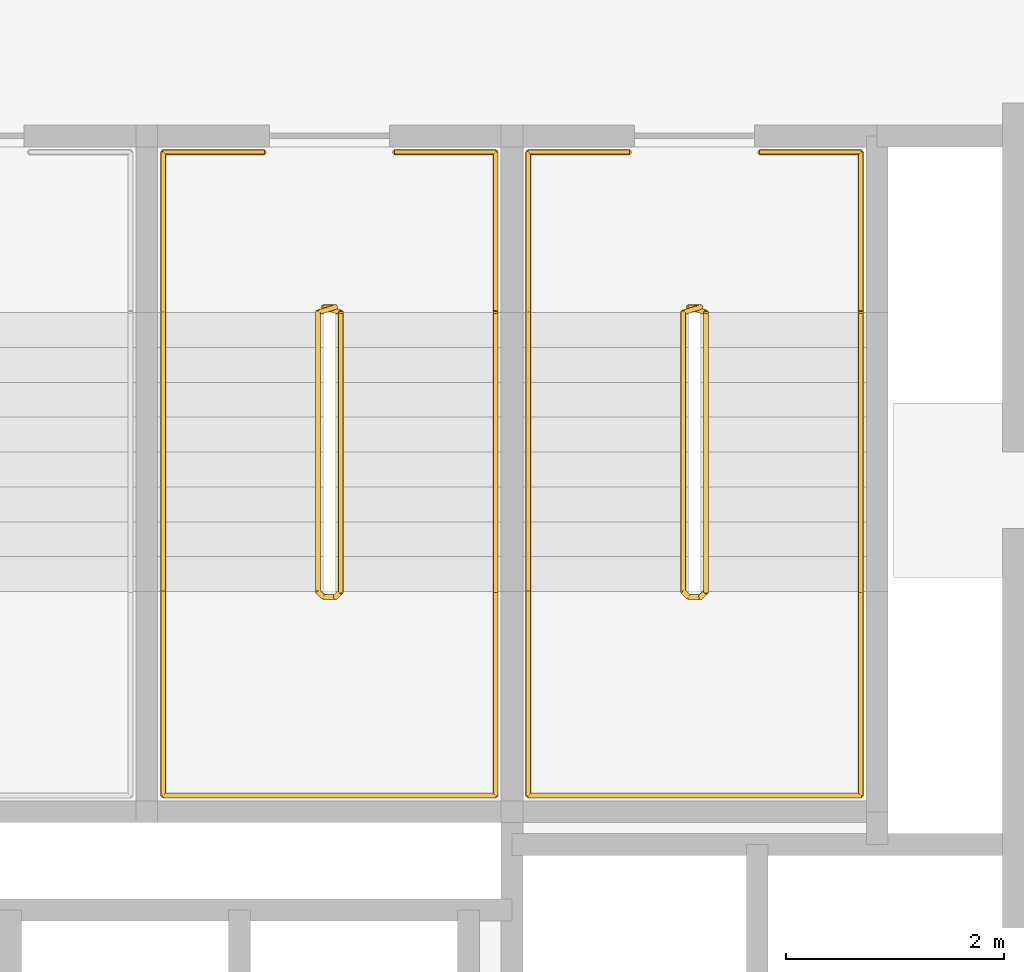
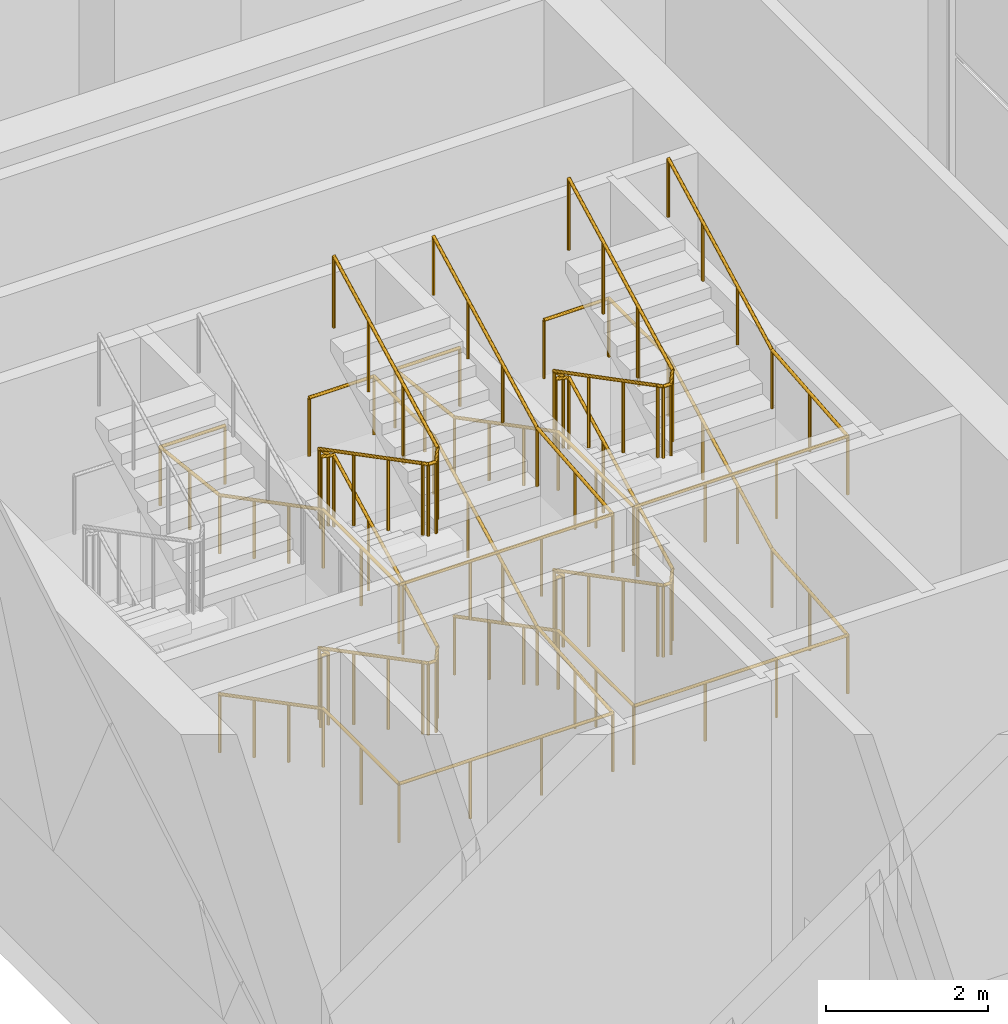
# One storey, part 45 of 46: 6 railings.
"""IFC4 building model written with IfcOpenShell, lengths in metres."""

from ifc_helpers import new_model, si_unit, direction, frame, origin, origin_2d, place, context, subcontext, project, spatial, circle, extrude, material, type_object, element, save


model = new_model("IFC4")

# Units and contexts
model_context = context("Model", 3, precision=1e-05, world=origin(), true_north=direction((0.0, 1.0)))
body_context = subcontext(model_context, "Body", "Model", "MODEL_VIEW")
ifc_project = project(units=[si_unit("LENGTHUNIT", "METRE"), si_unit("AREAUNIT", "SQUARE_METRE"), si_unit("VOLUMEUNIT", "CUBIC_METRE"), si_unit("PLANEANGLEUNIT", "RADIAN"), si_unit("MASSUNIT", "GRAM", prefix="KILO")], contexts=[model_context])

# Site, building, storey
site_placement = place(None, origin())
site = spatial("IfcSite", under=ifc_project, at=site_placement, CompositionType="ELEMENT")
building_placement = place(site_placement, origin())
building = spatial("IfcBuilding", under=site, at=building_placement, Name="Tessera Arch", CompositionType="ELEMENT")
storey_placement = place(building_placement, frame((0.0, 0.0, 8.0)))
storey = spatial("IfcBuildingStorey", under=building, at=storey_placement, Name="L01", CompositionType="ELEMENT", Elevation=8.0)

# Railings
ifc_material_1 = material(Name="Painted steel balustrade", Category="steel")
railing_type_1 = type_object("IfcRailingType", Name="Stair guard 1100", PredefinedType="GUARDRAIL", material=ifc_material_1)
railing_1_placement = place(storey_placement, frame((41.570068359375, 43.6298828125, 0.0)))
element("IfcRailing", 1, at=railing_1_placement, inside=storey, type_object=railing_type_1, Name="L01 S1b stair guard 1", PredefinedType="GUARDRAIL", context=body_context, shape_type="SweptSolid", body=[
    extrude(circle(Radius=0.02392578125, at=origin_2d()), frame((-0.00390625, 0.0, 1.076171875), z_axis=(1.0, 0.0, 0.0), x_axis=(0.0, 1.0, 0.0)), (0.0, 0.0, 1.0), 0.117919921875),
    extrude(circle(Radius=0.02392578125, at=origin_2d()), frame((0.112548828125, 0.000732421875, 1.0732421875), z_axis=(-0.676614622933, -0.210731882562, 0.705538606814), x_axis=(0.297361876254, -0.954764847777, 0.0)), (0.0, 0.0, 1.0), 0.244384765625),
    extrude(circle(Radius=0.02392578125, at=origin_2d()), frame((-0.050048828125, -0.046142578125, 1.240966796875), z_axis=(0.0, -0.886929966286, 0.461903923888), x_axis=(1.0, 0.0, 0.0)), (0.0, 0.0, 1.0), 2.89453125),
    extrude(circle(Radius=0.02392578125, at=origin_2d()), frame((-0.052978515625, -2.60693359375, 2.576171875), z_axis=(0.707106781187, -0.707106781187, 0.0), x_axis=(0.707106781187, 0.707106781187, 0.0)), (0.0, 0.0, 1.0), 0.078857421875),
    extrude(circle(Radius=0.02392578125, at=origin_2d()), frame((-0.00390625, -2.659912109375, 2.576171875), z_axis=(1.0, 0.0, 0.0), x_axis=(0.0, 1.0, 0.0)), (0.0, 0.0, 1.0), 0.117919921875),
    extrude(circle(Radius=0.02392578125, at=origin_2d()), frame((0.108642578125, -2.6611328125, 2.572265625), z_axis=(0.27628659633, 0.27628659633, 0.920506074601), x_axis=(-0.707106781187, 0.707106781187, 0.0)), (0.0, 0.0, 1.0), 0.189208984375),
    extrude(circle(Radius=0.02392578125, at=origin_2d()), frame((0.159912109375, -2.613525390625, 2.740966796875), z_axis=(0.0, 0.886929966286, 0.461903923888), x_axis=(-1.0, 0.0, 0.0)), (0.0, 0.0, 1.0), 2.89453125),
    extrude(circle(Radius=0.02392578125, at=origin_2d()), frame((0.163818359375, -0.051025390625, 4.076171875), z_axis=(-0.954764847777, 0.297361876254, 0.0), x_axis=(-0.297361876254, -0.954764847777, 0.0)), (0.0, 0.0, 1.0), 0.175537109375),
    extrude(circle(Radius=0.02392578125, at=origin_2d()), frame((-0.00390625, 0.0, 4.076171875), z_axis=(1.0, 0.0, 0.0), x_axis=(0.0, 1.0, 0.0)), (0.0, 0.0, 1.0), 0.117919921875),
    extrude(circle(Radius=0.02392578125, at=origin_2d()), frame((0.112548828125, 0.000732421875, 4.0732421875), z_axis=(-0.676614622933, -0.210731882562, 0.705538606814), x_axis=(0.297361876254, -0.954764847777, 0.0)), (0.0, 0.0, 1.0), 0.244384765625),
    extrude(circle(Radius=0.02392578125, at=origin_2d()), frame((-0.050048828125, -0.046142578125, 4.240966796875), z_axis=(0.0, -0.886929966286, 0.461903923888), x_axis=(1.0, 0.0, 0.0)), (0.0, 0.0, 1.0), 2.89453125),
    extrude(circle(Radius=0.02392578125, at=origin_2d()), frame((-0.052978515625, -2.60693359375, 5.576171875), z_axis=(0.707106781187, -0.707106781187, 0.0), x_axis=(0.707106781187, 0.707106781187, 0.0)), (0.0, 0.0, 1.0), 0.078857421875),
    extrude(circle(Radius=0.02392578125, at=origin_2d()), frame((-0.00390625, -2.659912109375, 5.576171875), z_axis=(1.0, 0.0, 0.0), x_axis=(0.0, 1.0, 0.0)), (0.0, 0.0, 1.0), 0.117919921875),
    extrude(circle(Radius=0.02392578125, at=origin_2d()), frame((0.108642578125, -2.6611328125, 5.572265625), z_axis=(0.27628659633, 0.27628659633, 0.920506074601), x_axis=(-0.707106781187, 0.707106781187, 0.0)), (0.0, 0.0, 1.0), 0.189208984375),
    extrude(circle(Radius=0.02392578125, at=origin_2d()), frame((0.159912109375, -2.613525390625, 5.740966796875), z_axis=(0.0, 0.886929966286, 0.461903923888), x_axis=(-1.0, 0.0, 0.0)), (0.0, 0.0, 1.0), 2.89453125),
    extrude(circle(Radius=0.02099609375, at=origin_2d()), origin(), (0.0, 0.0, 1.0), 1.06396484375),
    extrude(circle(Radius=0.02099609375, at=origin_2d()), frame((0.10986328125, 0.0, 0.0)), (0.0, 0.0, 1.0), 1.06396484375),
    extrude(circle(Radius=0.02099609375, at=origin_2d()), frame((-0.050048828125, -0.0498046875, 0.166748046875)), (0.0, 0.0, 1.0), 1.06396484375),
    extrude(circle(Radius=0.02099609375, at=origin_2d()), frame((-0.050048828125, -0.903076171875, 0.611083984375)), (0.0, 0.0, 1.0), 1.06396484375),
    extrude(circle(Radius=0.02099609375, at=origin_2d()), frame((-0.050048828125, -1.756591796875, 1.0556640625)), (0.0, 0.0, 1.0), 1.06396484375),
    extrude(circle(Radius=0.02099609375, at=origin_2d()), frame((-0.050048828125, -2.60986328125, 1.5)), (0.0, 0.0, 1.0), 1.06396484375),
    extrude(circle(Radius=0.02099609375, at=origin_2d()), frame((0.0, -2.659912109375, 1.5)), (0.0, 0.0, 1.0), 1.06396484375),
    extrude(circle(Radius=0.02099609375, at=origin_2d()), frame((0.10986328125, -2.659912109375, 1.5)), (0.0, 0.0, 1.0), 1.06396484375),
    extrude(circle(Radius=0.02099609375, at=origin_2d()), frame((0.159912109375, -2.60986328125, 1.666748046875)), (0.0, 0.0, 1.0), 1.06396484375),
    extrude(circle(Radius=0.02099609375, at=origin_2d()), frame((0.159912109375, -1.756591796875, 2.111083984375)), (0.0, 0.0, 1.0), 1.06396484375),
    extrude(circle(Radius=0.02099609375, at=origin_2d()), frame((0.159912109375, -0.903076171875, 2.5556640625)), (0.0, 0.0, 1.0), 1.06396484375),
    extrude(circle(Radius=0.02099609375, at=origin_2d()), frame((0.159912109375, -0.0498046875, 3.0)), (0.0, 0.0, 1.0), 1.06396484375),
    extrude(circle(Radius=0.02099609375, at=origin_2d()), frame((0.0, 0.0, 3.0)), (0.0, 0.0, 1.0), 1.06396484375),
    extrude(circle(Radius=0.02099609375, at=origin_2d()), frame((0.10986328125, 0.0, 3.0)), (0.0, 0.0, 1.0), 1.06396484375),
    extrude(circle(Radius=0.02099609375, at=origin_2d()), frame((-0.050048828125, -0.0498046875, 3.166748046875)), (0.0, 0.0, 1.0), 1.06396484375),
    extrude(circle(Radius=0.02099609375, at=origin_2d()), frame((-0.050048828125, -0.903076171875, 3.611083984375)), (0.0, 0.0, 1.0), 1.06396484375),
    extrude(circle(Radius=0.02099609375, at=origin_2d()), frame((-0.050048828125, -1.756591796875, 4.0556640625)), (0.0, 0.0, 1.0), 1.06396484375),
    extrude(circle(Radius=0.02099609375, at=origin_2d()), frame((-0.050048828125, -2.60986328125, 4.5)), (0.0, 0.0, 1.0), 1.06396484375),
    extrude(circle(Radius=0.02099609375, at=origin_2d()), frame((0.0, -2.659912109375, 4.5)), (0.0, 0.0, 1.0), 1.06396484375),
    extrude(circle(Radius=0.02099609375, at=origin_2d()), frame((0.10986328125, -2.659912109375, 4.5)), (0.0, 0.0, 1.0), 1.06396484375),
    extrude(circle(Radius=0.02099609375, at=origin_2d()), frame((0.159912109375, -2.60986328125, 4.666748046875)), (0.0, 0.0, 1.0), 1.06396484375),
    extrude(circle(Radius=0.02099609375, at=origin_2d()), frame((0.159912109375, -1.756591796875, 5.111083984375)), (0.0, 0.0, 1.0), 1.06396484375),
    extrude(circle(Radius=0.02099609375, at=origin_2d()), frame((0.159912109375, -0.903076171875, 5.5556640625)), (0.0, 0.0, 1.0), 1.06396484375),
    extrude(circle(Radius=0.02099609375, at=origin_2d()), frame((0.159912109375, -0.0498046875, 6.0)), (0.0, 0.0, 1.0), 1.06396484375),
])
railing_2_placement = place(storey_placement, frame((44.919921875, 43.6298828125, 0.0)))
element("IfcRailing", 2, at=railing_2_placement, inside=storey, type_object=railing_type_1, Name="L01 S1c stair guard 1", PredefinedType="GUARDRAIL", context=body_context, shape_type="SweptSolid", body=[
    extrude(circle(Radius=0.02392578125, at=origin_2d()), frame((-0.00390625, 0.0, 1.076171875), z_axis=(1.0, 0.0, 0.0), x_axis=(0.0, 1.0, 0.0)), (0.0, 0.0, 1.0), 0.1181640625),
    extrude(circle(Radius=0.02392578125, at=origin_2d()), frame((0.11279296875, 0.000732421875, 1.0732421875), z_axis=(-0.676614622933, -0.210731882562, 0.705538606814), x_axis=(0.297361876254, -0.954764847777, 0.0)), (0.0, 0.0, 1.0), 0.244384765625),
    extrude(circle(Radius=0.02392578125, at=origin_2d()), frame((-0.0498046875, -0.046142578125, 1.240966796875), z_axis=(0.0, -0.886929966286, 0.461903923888), x_axis=(1.0, 0.0, 0.0)), (0.0, 0.0, 1.0), 2.89453125),
    extrude(circle(Radius=0.02392578125, at=origin_2d()), frame((-0.052734375, -2.60693359375, 2.576171875), z_axis=(0.705375805398, -0.708833529934, 0.0), x_axis=(0.708833529934, 0.705375805398, 0.0)), (0.0, 0.0, 1.0), 0.07861328125),
    extrude(circle(Radius=0.02392578125, at=origin_2d()), frame((-0.00390625, -2.659912109375, 2.576171875), z_axis=(1.0, 0.0, 0.0), x_axis=(0.0, 1.0, 0.0)), (0.0, 0.0, 1.0), 0.1181640625),
    extrude(circle(Radius=0.02392578125, at=origin_2d()), frame((0.10888671875, -2.6611328125, 2.572265625), z_axis=(0.27628659633, 0.27628659633, 0.920506074601), x_axis=(-0.707106781187, 0.707106781187, 0.0)), (0.0, 0.0, 1.0), 0.189208984375),
    extrude(circle(Radius=0.02392578125, at=origin_2d()), frame((0.16015625, -2.613525390625, 2.740966796875), z_axis=(0.0, 0.886929966286, 0.461903923888), x_axis=(-1.0, 0.0, 0.0)), (0.0, 0.0, 1.0), 2.89453125),
    extrude(circle(Radius=0.02392578125, at=origin_2d()), frame((0.1640625, -0.051025390625, 4.076171875), z_axis=(-0.954893471113, 0.296948579431, 0.0), x_axis=(-0.296948579431, -0.954893471113, 0.0)), (0.0, 0.0, 1.0), 0.17578125),
    extrude(circle(Radius=0.02392578125, at=origin_2d()), frame((-0.00390625, 0.0, 4.076171875), z_axis=(1.0, 0.0, 0.0), x_axis=(0.0, 1.0, 0.0)), (0.0, 0.0, 1.0), 0.1181640625),
    extrude(circle(Radius=0.02392578125, at=origin_2d()), frame((0.11279296875, 0.000732421875, 4.0732421875), z_axis=(-0.676614622933, -0.210731882562, 0.705538606814), x_axis=(0.297361876254, -0.954764847777, 0.0)), (0.0, 0.0, 1.0), 0.244384765625),
    extrude(circle(Radius=0.02392578125, at=origin_2d()), frame((-0.0498046875, -0.046142578125, 4.240966796875), z_axis=(0.0, -0.886929966286, 0.461903923888), x_axis=(1.0, 0.0, 0.0)), (0.0, 0.0, 1.0), 2.89453125),
    extrude(circle(Radius=0.02392578125, at=origin_2d()), frame((-0.052734375, -2.60693359375, 5.576171875), z_axis=(0.705375805398, -0.708833529934, 0.0), x_axis=(0.708833529934, 0.705375805398, 0.0)), (0.0, 0.0, 1.0), 0.07861328125),
    extrude(circle(Radius=0.02392578125, at=origin_2d()), frame((-0.00390625, -2.659912109375, 5.576171875), z_axis=(1.0, 0.0, 0.0), x_axis=(0.0, 1.0, 0.0)), (0.0, 0.0, 1.0), 0.1181640625),
    extrude(circle(Radius=0.02392578125, at=origin_2d()), frame((0.10888671875, -2.6611328125, 5.572265625), z_axis=(0.27628659633, 0.27628659633, 0.920506074601), x_axis=(-0.707106781187, 0.707106781187, 0.0)), (0.0, 0.0, 1.0), 0.189208984375),
    extrude(circle(Radius=0.02392578125, at=origin_2d()), frame((0.16015625, -2.613525390625, 5.740966796875), z_axis=(0.0, 0.886929966286, 0.461903923888), x_axis=(-1.0, 0.0, 0.0)), (0.0, 0.0, 1.0), 2.89453125),
    extrude(circle(Radius=0.02099609375, at=origin_2d()), origin(), (0.0, 0.0, 1.0), 1.06396484375),
    extrude(circle(Radius=0.02099609375, at=origin_2d()), frame((0.110107421875, 0.0, 0.0)), (0.0, 0.0, 1.0), 1.06396484375),
    extrude(circle(Radius=0.02099609375, at=origin_2d()), frame((-0.0498046875, -0.0498046875, 0.166748046875)), (0.0, 0.0, 1.0), 1.06396484375),
    extrude(circle(Radius=0.02099609375, at=origin_2d()), frame((-0.0498046875, -0.903076171875, 0.611083984375)), (0.0, 0.0, 1.0), 1.06396484375),
    extrude(circle(Radius=0.02099609375, at=origin_2d()), frame((-0.0498046875, -1.756591796875, 1.0556640625)), (0.0, 0.0, 1.0), 1.06396484375),
    extrude(circle(Radius=0.02099609375, at=origin_2d()), frame((-0.0498046875, -2.60986328125, 1.5)), (0.0, 0.0, 1.0), 1.06396484375),
    extrude(circle(Radius=0.02099609375, at=origin_2d()), frame((0.0, -2.659912109375, 1.5)), (0.0, 0.0, 1.0), 1.06396484375),
    extrude(circle(Radius=0.02099609375, at=origin_2d()), frame((0.110107421875, -2.659912109375, 1.5)), (0.0, 0.0, 1.0), 1.06396484375),
    extrude(circle(Radius=0.02099609375, at=origin_2d()), frame((0.16015625, -2.60986328125, 1.666748046875)), (0.0, 0.0, 1.0), 1.06396484375),
    extrude(circle(Radius=0.02099609375, at=origin_2d()), frame((0.16015625, -1.756591796875, 2.111083984375)), (0.0, 0.0, 1.0), 1.06396484375),
    extrude(circle(Radius=0.02099609375, at=origin_2d()), frame((0.16015625, -0.903076171875, 2.5556640625)), (0.0, 0.0, 1.0), 1.06396484375),
    extrude(circle(Radius=0.02099609375, at=origin_2d()), frame((0.16015625, -0.0498046875, 3.0)), (0.0, 0.0, 1.0), 1.06396484375),
    extrude(circle(Radius=0.02099609375, at=origin_2d()), frame((0.0, 0.0, 3.0)), (0.0, 0.0, 1.0), 1.06396484375),
    extrude(circle(Radius=0.02099609375, at=origin_2d()), frame((0.110107421875, 0.0, 3.0)), (0.0, 0.0, 1.0), 1.06396484375),
    extrude(circle(Radius=0.02099609375, at=origin_2d()), frame((-0.0498046875, -0.0498046875, 3.166748046875)), (0.0, 0.0, 1.0), 1.06396484375),
    extrude(circle(Radius=0.02099609375, at=origin_2d()), frame((-0.0498046875, -0.903076171875, 3.611083984375)), (0.0, 0.0, 1.0), 1.06396484375),
    extrude(circle(Radius=0.02099609375, at=origin_2d()), frame((-0.0498046875, -1.756591796875, 4.0556640625)), (0.0, 0.0, 1.0), 1.06396484375),
    extrude(circle(Radius=0.02099609375, at=origin_2d()), frame((-0.0498046875, -2.60986328125, 4.5)), (0.0, 0.0, 1.0), 1.06396484375),
    extrude(circle(Radius=0.02099609375, at=origin_2d()), frame((0.0, -2.659912109375, 4.5)), (0.0, 0.0, 1.0), 1.06396484375),
    extrude(circle(Radius=0.02099609375, at=origin_2d()), frame((0.110107421875, -2.659912109375, 4.5)), (0.0, 0.0, 1.0), 1.06396484375),
    extrude(circle(Radius=0.02099609375, at=origin_2d()), frame((0.16015625, -2.60986328125, 4.666748046875)), (0.0, 0.0, 1.0), 1.06396484375),
    extrude(circle(Radius=0.02099609375, at=origin_2d()), frame((0.16015625, -1.756591796875, 5.111083984375)), (0.0, 0.0, 1.0), 1.06396484375),
    extrude(circle(Radius=0.02099609375, at=origin_2d()), frame((0.16015625, -0.903076171875, 5.5556640625)), (0.0, 0.0, 1.0), 1.06396484375),
    extrude(circle(Radius=0.02099609375, at=origin_2d()), frame((0.16015625, -0.0498046875, 6.0)), (0.0, 0.0, 1.0), 1.06396484375),
])
ifc_material_2 = material(Name="Painted steel handrail", Category="steel")
railing_type_2 = type_object("IfcRailingType", Name="Stair handrail 900", PredefinedType="HANDRAIL", material=ifc_material_2)
railing_3_placement = place(storey_placement, frame((40.10009765625, 43.580078125, 0.166748046875)))
element("IfcRailing", 3, at=railing_3_placement, inside=storey, type_object=railing_type_2, Name="L01 S1b stair handrail", PredefinedType="HANDRAIL", context=body_context, shape_type="SweptSolid", body=[
    extrude(circle(Radius=0.02392578125, at=origin_2d()), frame((0.0, 0.003662109375, 0.8740234375), z_axis=(0.0, -0.886929966286, 0.461903923888), x_axis=(1.0, 0.0, 0.0)), (0.0, 0.0, 1.0), 2.89453125),
    extrude(circle(Radius=0.02392578125, at=origin_2d()), frame((0.0, -2.55615234375, 2.208984375), z_axis=(0.0, -1.0, 0.0), x_axis=(1.0, 0.0, 0.0)), (0.0, 0.0, 1.0), 1.878173828125),
    extrude(circle(Radius=0.02392578125, at=origin_2d()), frame((-0.00390625, -4.43017578125, 2.208984375), z_axis=(1.0, 0.0, 0.0), x_axis=(0.0, 1.0, 0.0)), (0.0, 0.0, 1.0), 3.057861328125),
    extrude(circle(Radius=0.02392578125, at=origin_2d()), frame((3.0498046875, -4.43408203125, 2.208740234375), z_axis=(0.0, 0.996048393597, 0.088812147889), x_axis=(-1.0, 0.0, 0.0)), (0.0, 0.0, 1.0), 1.885498046875),
    extrude(circle(Radius=0.02392578125, at=origin_2d()), frame((3.0498046875, -2.563720703125, 2.3740234375), z_axis=(0.0, 0.886929966286, 0.461903923888), x_axis=(-1.0, 0.0, 0.0)), (0.0, 0.0, 1.0), 2.89453125),
    extrude(circle(Radius=0.02392578125, at=origin_2d()), frame((3.0498046875, -0.00390625, 3.708984375), z_axis=(0.0, 1.0, 0.0), x_axis=(-1.0, 0.0, 0.0)), (0.0, 0.0, 1.0), 1.47802734375),
    extrude(circle(Radius=0.02392578125, at=origin_2d()), frame((3.0537109375, 1.469970703125, 3.708984375), z_axis=(-1.0, 0.0, 0.0), x_axis=(0.0, -1.0, 0.0)), (0.0, 0.0, 1.0), 0.932861328125),
    extrude(circle(Radius=0.02099609375, at=origin_2d()), origin(), (0.0, 0.0, 1.0), 0.86376953125),
    extrude(circle(Radius=0.02099609375, at=origin_2d()), frame((0.0, -0.853271484375, 0.4443359375)), (0.0, 0.0, 1.0), 0.86376953125),
    extrude(circle(Radius=0.02099609375, at=origin_2d()), frame((0.0, -1.706787109375, 0.888916015625)), (0.0, 0.0, 1.0), 0.86376953125),
    extrude(circle(Radius=0.02099609375, at=origin_2d()), frame((0.0, -2.56005859375, 1.333251953125)), (0.0, 0.0, 1.0), 0.86376953125),
    extrude(circle(Radius=0.02099609375, at=origin_2d()), frame((0.0, -3.4951171875, 1.333251953125)), (0.0, 0.0, 1.0), 0.86376953125),
    extrude(circle(Radius=0.02099609375, at=origin_2d()), frame((0.0, -4.43017578125, 1.333251953125)), (0.0, 0.0, 1.0), 0.86376953125),
    extrude(circle(Radius=0.02099609375, at=origin_2d()), frame((1.0166015625, -4.43017578125, 1.333251953125)), (0.0, 0.0, 1.0), 0.86376953125),
    extrude(circle(Radius=0.02099609375, at=origin_2d()), frame((2.033203125, -4.43017578125, 1.333251953125)), (0.0, 0.0, 1.0), 0.86376953125),
    extrude(circle(Radius=0.02099609375, at=origin_2d()), frame((3.0498046875, -4.43017578125, 1.333251953125)), (0.0, 0.0, 1.0), 0.86376953125),
    extrude(circle(Radius=0.02099609375, at=origin_2d()), frame((3.0498046875, -3.4951171875, 1.41650390625)), (0.0, 0.0, 1.0), 0.86376953125),
    extrude(circle(Radius=0.02099609375, at=origin_2d()), frame((3.0498046875, -2.56005859375, 1.5)), (0.0, 0.0, 1.0), 0.86376953125),
    extrude(circle(Radius=0.02099609375, at=origin_2d()), frame((3.0498046875, -1.706787109375, 1.9443359375)), (0.0, 0.0, 1.0), 0.86376953125),
    extrude(circle(Radius=0.02099609375, at=origin_2d()), frame((3.0498046875, -0.853271484375, 2.388916015625)), (0.0, 0.0, 1.0), 0.86376953125),
    extrude(circle(Radius=0.02099609375, at=origin_2d()), frame((3.0498046875, 0.0, 2.833251953125)), (0.0, 0.0, 1.0), 0.86376953125),
    extrude(circle(Radius=0.02099609375, at=origin_2d()), frame((3.0498046875, 0.73486328125, 2.833251953125)), (0.0, 0.0, 1.0), 0.86376953125),
    extrude(circle(Radius=0.02099609375, at=origin_2d()), frame((3.0498046875, 1.469970703125, 2.833251953125)), (0.0, 0.0, 1.0), 0.86376953125),
    extrude(circle(Radius=0.02099609375, at=origin_2d()), frame((2.125, 1.469970703125, 2.833251953125)), (0.0, 0.0, 1.0), 0.86376953125),
])
railing_4_placement = place(storey_placement, frame((41.02490234375, 45.050048828125, 3.0)))
element("IfcRailing", 4, at=railing_4_placement, inside=storey, type_object=railing_type_2, Name="L01 S1b stair handrail 2", PredefinedType="HANDRAIL", context=body_context, shape_type="SweptSolid", body=[
    extrude(circle(Radius=0.02392578125, at=origin_2d()), frame((0.00390625, 0.0, 0.8759765625), z_axis=(-1.0, 0.0, 0.0), x_axis=(0.0, -1.0, 0.0)), (0.0, 0.0, 1.0), 0.932861328125),
    extrude(circle(Radius=0.02392578125, at=origin_2d()), frame((-0.9248046875, 0.00390625, 0.87548828125), z_axis=(0.0, -0.993627536354, 0.112713437524), x_axis=(1.0, 0.0, 0.0)), (0.0, 0.0, 1.0), 1.4873046875),
    extrude(circle(Radius=0.02392578125, at=origin_2d()), frame((-0.9248046875, -1.46630859375, 1.040771484375), z_axis=(0.0, -0.886929966286, 0.461903923888), x_axis=(1.0, 0.0, 0.0)), (0.0, 0.0, 1.0), 2.89453125),
    extrude(circle(Radius=0.02392578125, at=origin_2d()), frame((-0.9248046875, -4.026123046875, 2.3759765625), z_axis=(0.0, -1.0, 0.0), x_axis=(1.0, 0.0, 0.0)), (0.0, 0.0, 1.0), 1.878173828125),
    extrude(circle(Radius=0.02392578125, at=origin_2d()), frame((-0.9287109375, -5.900146484375, 2.3759765625), z_axis=(1.0, 0.0, 0.0), x_axis=(0.0, 1.0, 0.0)), (0.0, 0.0, 1.0), 3.057861328125),
    extrude(circle(Radius=0.02392578125, at=origin_2d()), frame((2.125, -5.904052734375, 2.37548828125), z_axis=(0.0, 0.996048393597, 0.088812147889), x_axis=(-1.0, 0.0, 0.0)), (0.0, 0.0, 1.0), 1.885498046875),
    extrude(circle(Radius=0.02392578125, at=origin_2d()), frame((2.125, -4.03369140625, 2.540771484375), z_axis=(0.0, 0.886929966286, 0.461903923888), x_axis=(-1.0, 0.0, 0.0)), (0.0, 0.0, 1.0), 2.89453125),
    extrude(circle(Radius=0.02099609375, at=origin_2d()), origin(), (0.0, 0.0, 1.0), 0.86376953125),
    extrude(circle(Radius=0.02099609375, at=origin_2d()), frame((-0.9248046875, 0.0, 0.0)), (0.0, 0.0, 1.0), 0.86376953125),
    extrude(circle(Radius=0.02099609375, at=origin_2d()), frame((-0.9248046875, -0.73486328125, 0.08349609375)), (0.0, 0.0, 1.0), 0.86376953125),
    extrude(circle(Radius=0.02099609375, at=origin_2d()), frame((-0.9248046875, -1.469970703125, 0.166748046875)), (0.0, 0.0, 1.0), 0.86376953125),
    extrude(circle(Radius=0.02099609375, at=origin_2d()), frame((-0.9248046875, -2.3232421875, 0.611083984375)), (0.0, 0.0, 1.0), 0.86376953125),
    extrude(circle(Radius=0.02099609375, at=origin_2d()), frame((-0.9248046875, -3.1767578125, 1.0556640625)), (0.0, 0.0, 1.0), 0.86376953125),
    extrude(circle(Radius=0.02099609375, at=origin_2d()), frame((-0.9248046875, -4.030029296875, 1.5)), (0.0, 0.0, 1.0), 0.86376953125),
    extrude(circle(Radius=0.02099609375, at=origin_2d()), frame((-0.9248046875, -4.965087890625, 1.5)), (0.0, 0.0, 1.0), 0.86376953125),
    extrude(circle(Radius=0.02099609375, at=origin_2d()), frame((-0.9248046875, -5.900146484375, 1.5)), (0.0, 0.0, 1.0), 0.86376953125),
    extrude(circle(Radius=0.02099609375, at=origin_2d()), frame((0.091796875, -5.900146484375, 1.5)), (0.0, 0.0, 1.0), 0.86376953125),
    extrude(circle(Radius=0.02099609375, at=origin_2d()), frame((1.1083984375, -5.900146484375, 1.5)), (0.0, 0.0, 1.0), 0.86376953125),
    extrude(circle(Radius=0.02099609375, at=origin_2d()), frame((2.125, -5.900146484375, 1.5)), (0.0, 0.0, 1.0), 0.86376953125),
    extrude(circle(Radius=0.02099609375, at=origin_2d()), frame((2.125, -4.965087890625, 1.58349609375)), (0.0, 0.0, 1.0), 0.86376953125),
    extrude(circle(Radius=0.02099609375, at=origin_2d()), frame((2.125, -4.030029296875, 1.666748046875)), (0.0, 0.0, 1.0), 0.86376953125),
    extrude(circle(Radius=0.02099609375, at=origin_2d()), frame((2.125, -3.1767578125, 2.111083984375)), (0.0, 0.0, 1.0), 0.86376953125),
    extrude(circle(Radius=0.02099609375, at=origin_2d()), frame((2.125, -2.3232421875, 2.5556640625)), (0.0, 0.0, 1.0), 0.86376953125),
    extrude(circle(Radius=0.02099609375, at=origin_2d()), frame((2.125, -1.469970703125, 3.0)), (0.0, 0.0, 1.0), 0.86376953125),
])
railing_5_placement = place(storey_placement, frame((43.449951171875, 43.580078125, 0.166748046875)))
element("IfcRailing", 5, at=railing_5_placement, inside=storey, type_object=railing_type_2, Name="L01 S1c stair handrail", PredefinedType="HANDRAIL", context=body_context, shape_type="SweptSolid", body=[
    extrude(circle(Radius=0.02392578125, at=origin_2d()), frame((0.0, 0.003662109375, 0.8740234375), z_axis=(0.0, -0.886929966286, 0.461903923888), x_axis=(1.0, 0.0, 0.0)), (0.0, 0.0, 1.0), 2.89453125),
    extrude(circle(Radius=0.02392578125, at=origin_2d()), frame((0.0, -2.55615234375, 2.208984375), z_axis=(0.0, -1.0, 0.0), x_axis=(1.0, 0.0, 0.0)), (0.0, 0.0, 1.0), 1.878173828125),
    extrude(circle(Radius=0.02392578125, at=origin_2d()), frame((-0.00390625, -4.43017578125, 2.208984375), z_axis=(1.0, 0.0, 0.0), x_axis=(0.0, 1.0, 0.0)), (0.0, 0.0, 1.0), 3.05810546875),
    extrude(circle(Radius=0.02392578125, at=origin_2d()), frame((3.050048828125, -4.43408203125, 2.208740234375), z_axis=(0.0, 0.996048393597, 0.088812147889), x_axis=(-1.0, 0.0, 0.0)), (0.0, 0.0, 1.0), 1.885498046875),
    extrude(circle(Radius=0.02392578125, at=origin_2d()), frame((3.050048828125, -2.563720703125, 2.3740234375), z_axis=(0.0, 0.886929966286, 0.461903923888), x_axis=(-1.0, 0.0, 0.0)), (0.0, 0.0, 1.0), 2.89453125),
    extrude(circle(Radius=0.02392578125, at=origin_2d()), frame((3.050048828125, -0.00390625, 3.708984375), z_axis=(0.0, 1.0, 0.0), x_axis=(-1.0, 0.0, 0.0)), (0.0, 0.0, 1.0), 1.47802734375),
    extrude(circle(Radius=0.02392578125, at=origin_2d()), frame((3.053955078125, 1.469970703125, 3.708984375), z_axis=(-1.0, 0.0, 0.0), x_axis=(0.0, -1.0, 0.0)), (0.0, 0.0, 1.0), 0.93310546875),
    extrude(circle(Radius=0.02099609375, at=origin_2d()), origin(), (0.0, 0.0, 1.0), 0.86376953125),
    extrude(circle(Radius=0.02099609375, at=origin_2d()), frame((0.0, -0.853271484375, 0.4443359375)), (0.0, 0.0, 1.0), 0.86376953125),
    extrude(circle(Radius=0.02099609375, at=origin_2d()), frame((0.0, -1.706787109375, 0.888916015625)), (0.0, 0.0, 1.0), 0.86376953125),
    extrude(circle(Radius=0.02099609375, at=origin_2d()), frame((0.0, -2.56005859375, 1.333251953125)), (0.0, 0.0, 1.0), 0.86376953125),
    extrude(circle(Radius=0.02099609375, at=origin_2d()), frame((0.0, -3.4951171875, 1.333251953125)), (0.0, 0.0, 1.0), 0.86376953125),
    extrude(circle(Radius=0.02099609375, at=origin_2d()), frame((0.0, -4.43017578125, 1.333251953125)), (0.0, 0.0, 1.0), 0.86376953125),
    extrude(circle(Radius=0.02099609375, at=origin_2d()), frame((1.0166015625, -4.43017578125, 1.333251953125)), (0.0, 0.0, 1.0), 0.86376953125),
    extrude(circle(Radius=0.02099609375, at=origin_2d()), frame((2.033447265625, -4.43017578125, 1.333251953125)), (0.0, 0.0, 1.0), 0.86376953125),
    extrude(circle(Radius=0.02099609375, at=origin_2d()), frame((3.050048828125, -4.43017578125, 1.333251953125)), (0.0, 0.0, 1.0), 0.86376953125),
    extrude(circle(Radius=0.02099609375, at=origin_2d()), frame((3.050048828125, -3.4951171875, 1.41650390625)), (0.0, 0.0, 1.0), 0.86376953125),
    extrude(circle(Radius=0.02099609375, at=origin_2d()), frame((3.050048828125, -2.56005859375, 1.5)), (0.0, 0.0, 1.0), 0.86376953125),
    extrude(circle(Radius=0.02099609375, at=origin_2d()), frame((3.050048828125, -1.706787109375, 1.9443359375)), (0.0, 0.0, 1.0), 0.86376953125),
    extrude(circle(Radius=0.02099609375, at=origin_2d()), frame((3.050048828125, -0.853271484375, 2.388916015625)), (0.0, 0.0, 1.0), 0.86376953125),
    extrude(circle(Radius=0.02099609375, at=origin_2d()), frame((3.050048828125, 0.0, 2.833251953125)), (0.0, 0.0, 1.0), 0.86376953125),
    extrude(circle(Radius=0.02099609375, at=origin_2d()), frame((3.050048828125, 0.73486328125, 2.833251953125)), (0.0, 0.0, 1.0), 0.86376953125),
    extrude(circle(Radius=0.02099609375, at=origin_2d()), frame((3.050048828125, 1.469970703125, 2.833251953125)), (0.0, 0.0, 1.0), 0.86376953125),
    extrude(circle(Radius=0.02099609375, at=origin_2d()), frame((2.125, 1.469970703125, 2.833251953125)), (0.0, 0.0, 1.0), 0.86376953125),
])
railing_6_placement = place(storey_placement, frame((44.375, 45.050048828125, 3.0)))
element("IfcRailing", 6, at=railing_6_placement, inside=storey, type_object=railing_type_2, Name="L01 S1c stair handrail 2", PredefinedType="HANDRAIL", context=body_context, shape_type="SweptSolid", body=[
    extrude(circle(Radius=0.02392578125, at=origin_2d()), frame((0.00390625, 0.0, 0.8759765625), z_axis=(-1.0, 0.0, 0.0), x_axis=(0.0, -1.0, 0.0)), (0.0, 0.0, 1.0), 0.93310546875),
    extrude(circle(Radius=0.02392578125, at=origin_2d()), frame((-0.925048828125, 0.00390625, 0.87548828125), z_axis=(0.0, -0.993627536354, 0.112713437524), x_axis=(1.0, 0.0, 0.0)), (0.0, 0.0, 1.0), 1.4873046875),
    extrude(circle(Radius=0.02392578125, at=origin_2d()), frame((-0.925048828125, -1.46630859375, 1.040771484375), z_axis=(0.0, -0.886929966286, 0.461903923888), x_axis=(1.0, 0.0, 0.0)), (0.0, 0.0, 1.0), 2.89453125),
    extrude(circle(Radius=0.02392578125, at=origin_2d()), frame((-0.925048828125, -4.026123046875, 2.3759765625), z_axis=(0.0, -1.0, 0.0), x_axis=(1.0, 0.0, 0.0)), (0.0, 0.0, 1.0), 1.878173828125),
    extrude(circle(Radius=0.02392578125, at=origin_2d()), frame((-0.928955078125, -5.900146484375, 2.3759765625), z_axis=(1.0, 0.0, 0.0), x_axis=(0.0, 1.0, 0.0)), (0.0, 0.0, 1.0), 3.05810546875),
    extrude(circle(Radius=0.02392578125, at=origin_2d()), frame((2.125, -5.904052734375, 2.37548828125), z_axis=(0.0, 0.996048393597, 0.088812147889), x_axis=(-1.0, 0.0, 0.0)), (0.0, 0.0, 1.0), 1.885498046875),
    extrude(circle(Radius=0.02392578125, at=origin_2d()), frame((2.125, -4.03369140625, 2.540771484375), z_axis=(0.0, 0.886929966286, 0.461903923888), x_axis=(-1.0, 0.0, 0.0)), (0.0, 0.0, 1.0), 2.89453125),
    extrude(circle(Radius=0.02099609375, at=origin_2d()), origin(), (0.0, 0.0, 1.0), 0.86376953125),
    extrude(circle(Radius=0.02099609375, at=origin_2d()), frame((-0.925048828125, 0.0, 0.0)), (0.0, 0.0, 1.0), 0.86376953125),
    extrude(circle(Radius=0.02099609375, at=origin_2d()), frame((-0.925048828125, -0.73486328125, 0.08349609375)), (0.0, 0.0, 1.0), 0.86376953125),
    extrude(circle(Radius=0.02099609375, at=origin_2d()), frame((-0.925048828125, -1.469970703125, 0.166748046875)), (0.0, 0.0, 1.0), 0.86376953125),
    extrude(circle(Radius=0.02099609375, at=origin_2d()), frame((-0.925048828125, -2.3232421875, 0.611083984375)), (0.0, 0.0, 1.0), 0.86376953125),
    extrude(circle(Radius=0.02099609375, at=origin_2d()), frame((-0.925048828125, -3.1767578125, 1.0556640625)), (0.0, 0.0, 1.0), 0.86376953125),
    extrude(circle(Radius=0.02099609375, at=origin_2d()), frame((-0.925048828125, -4.030029296875, 1.5)), (0.0, 0.0, 1.0), 0.86376953125),
    extrude(circle(Radius=0.02099609375, at=origin_2d()), frame((-0.925048828125, -4.965087890625, 1.5)), (0.0, 0.0, 1.0), 0.86376953125),
    extrude(circle(Radius=0.02099609375, at=origin_2d()), frame((-0.925048828125, -5.900146484375, 1.5)), (0.0, 0.0, 1.0), 0.86376953125),
    extrude(circle(Radius=0.02099609375, at=origin_2d()), frame((0.091552734375, -5.900146484375, 1.5)), (0.0, 0.0, 1.0), 0.86376953125),
    extrude(circle(Radius=0.02099609375, at=origin_2d()), frame((1.1083984375, -5.900146484375, 1.5)), (0.0, 0.0, 1.0), 0.86376953125),
    extrude(circle(Radius=0.02099609375, at=origin_2d()), frame((2.125, -5.900146484375, 1.5)), (0.0, 0.0, 1.0), 0.86376953125),
    extrude(circle(Radius=0.02099609375, at=origin_2d()), frame((2.125, -4.965087890625, 1.58349609375)), (0.0, 0.0, 1.0), 0.86376953125),
    extrude(circle(Radius=0.02099609375, at=origin_2d()), frame((2.125, -4.030029296875, 1.666748046875)), (0.0, 0.0, 1.0), 0.86376953125),
    extrude(circle(Radius=0.02099609375, at=origin_2d()), frame((2.125, -3.1767578125, 2.111083984375)), (0.0, 0.0, 1.0), 0.86376953125),
    extrude(circle(Radius=0.02099609375, at=origin_2d()), frame((2.125, -2.3232421875, 2.5556640625)), (0.0, 0.0, 1.0), 0.86376953125),
    extrude(circle(Radius=0.02099609375, at=origin_2d()), frame((2.125, -1.469970703125, 3.0)), (0.0, 0.0, 1.0), 0.86376953125),
])

save(model, "model.ifc")
